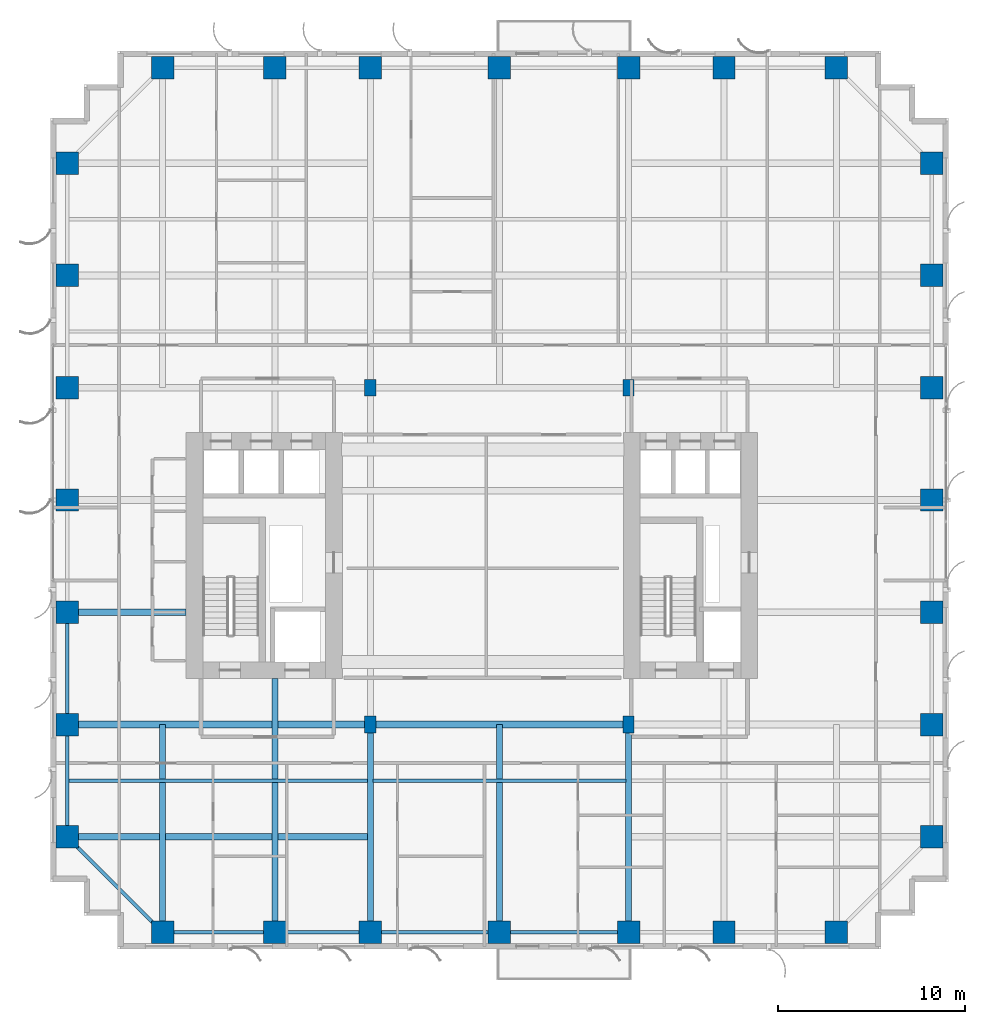
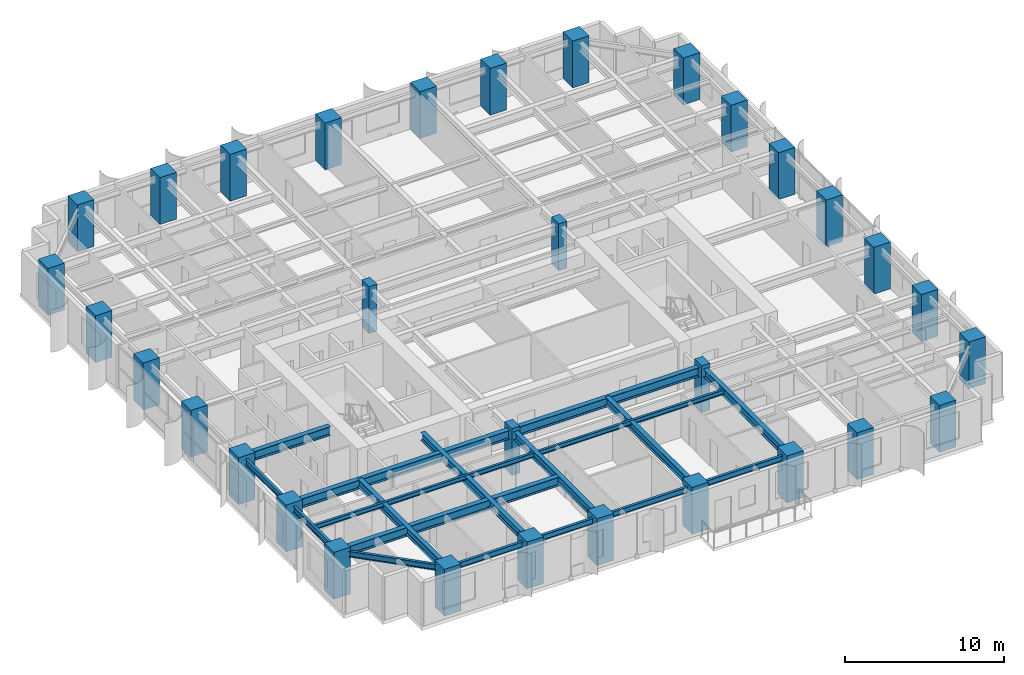
# One storey, part 1 of 17: 32 columns, 18 beams.
"""IFC4 building model written with IfcOpenShell, lengths in metres."""

from ifc_helpers import new_model, si_unit, direction, frame, origin, origin_2d, place, context, subcontext, project, spatial, rectangle, i_section, extrude, source, transform, mapped, material, material_profile, profile_set, type_object, element, save


model = new_model("IFC4")

# Units and contexts
model_context = context("Model", 3, precision=1e-05, world=origin(), true_north=direction((0.0, 1.0)))
body_context = subcontext(model_context, "Body", "Model", "MODEL_VIEW")
ifc_project = project(units=[si_unit("LENGTHUNIT", "METRE"), si_unit("AREAUNIT", "SQUARE_METRE"), si_unit("VOLUMEUNIT", "CUBIC_METRE"), si_unit("PLANEANGLEUNIT", "RADIAN"), si_unit("MASSUNIT", "GRAM", prefix="KILO")], contexts=[model_context])

# Site, building, storey
site_placement = place(None, origin())
site = spatial("IfcSite", under=ifc_project, at=site_placement, CompositionType="ELEMENT")
building_placement = place(site_placement, origin())
building = spatial("IfcBuilding", under=site, at=building_placement, Name="Khoralis Quay Care Tower", CompositionType="ELEMENT")
storey_placement = place(building_placement, frame((0.0, 0.0, 58.5)))
storey = spatial("IfcBuildingStorey", under=building, at=storey_placement, Name="L15", CompositionType="ELEMENT", Elevation=58.5)

# Columns
ifc_material_1 = material(Name="Concrete C80/95", Category="concrete")
ifc_material_profile_1 = material_profile(ifc_material_1, rectangle(XDim=1.199951171875, YDim=1.199951171875, at=origin_2d()), Name="Concrete C80/95")
ifc_profile_set_1 = profile_set([ifc_material_profile_1], Name="Concrete C80/95")
column_type_1 = type_object("IfcColumnType", Name="COL-C1200", PredefinedType="COLUMN", material=ifc_profile_set_1)
shared_shape_1 = source(origin(), body_context, "Body", "SweptSolid", [
    extrude(rectangle(XDim=1.199951171875, YDim=1.199951171875, at=origin_2d()), origin(), (0.0, 0.0, 1.0), 3.60009765625),
])
for number, where, z_axis, x_axis, name in (
    (1, (6.0, 0.89990234375, 0.0), (0.0, 0.0, 1.0), (1.0, 0.0, 0.0), "COL-TWR-L15-01"),
    (2, (6.0, 47.10009765625, 0.0), (0.0, 0.0, 1.0), (1.0, 0.0, 0.0), "COL-TWR-L15-02"),
    (3, (12.0, 0.89990234375, 0.0), (0.0, 0.0, 1.0), (1.0, 0.0, 0.0), "COL-TWR-L15-03"),
    (4, (12.0, 47.10009765625, 0.0), (0.0, 0.0, 1.0), (1.0, 0.0, 0.0), "COL-TWR-L15-04"),
    (5, (17.10009765625, 0.89990234375, 0.0), (0.0, 0.0, 1.0), (1.0, 0.0, 0.0), "COL-TWR-L15-05"),
    (6, (17.10009765625, 47.10009765625, 0.0), (0.0, 0.0, 1.0), (1.0, 0.0, 0.0), "COL-TWR-L15-06"),
    (7, (24.0, 0.89990234375, 0.0), (0.0, 0.0, 1.0), (1.0, 0.0, 0.0), "COL-TWR-L15-07"),
    (8, (24.0, 47.10009765625, 0.0), (0.0, 0.0, 1.0), (1.0, 0.0, 0.0), "COL-TWR-L15-08"),
    (9, (30.89990234375, 0.89990234375, 0.0), (0.0, 0.0, 1.0), (1.0, 0.0, 0.0), "COL-TWR-L15-09"),
    (10, (30.89990234375, 47.10009765625, 0.0), (0.0, 0.0, 1.0), (1.0, 0.0, 0.0), "COL-TWR-L15-10"),
    (11, (36.0, 0.89990234375, 0.0), (0.0, 0.0, 1.0), (1.0, 0.0, 0.0), "COL-TWR-L15-11"),
    (12, (36.0, 47.10009765625, 0.0), (0.0, 0.0, 1.0), (1.0, 0.0, 0.0), "COL-TWR-L15-12"),
    (13, (42.0, 0.89990234375, 0.0), (0.0, 0.0, 1.0), (1.0, 0.0, 0.0), "COL-TWR-L15-13"),
    (14, (42.0, 47.10009765625, 0.0), (0.0, 0.0, 1.0), (1.0, 0.0, 0.0), "COL-TWR-L15-14"),
    (15, (0.89990234375, 6.0, 0.0), (0.0, 0.0, 1.0), (1.0, 0.0, 0.0), "COL-TWR-L15-15"),
    (16, (47.10009765625, 6.0, 0.0), (0.0, 0.0, 1.0), (1.0, 0.0, 0.0), "COL-TWR-L15-16"),
    (17, (0.89990234375, 12.0, 0.0), (0.0, 0.0, 1.0), (1.0, 0.0, 0.0), "COL-TWR-L15-17"),
    (18, (47.10009765625, 12.0, 0.0), (0.0, 0.0, 1.0), (1.0, 0.0, 0.0), "COL-TWR-L15-18"),
    (19, (0.89990234375, 18.0, 0.0), (0.0, 0.0, 1.0), (1.0, 0.0, 0.0), "COL-TWR-L15-19"),
    (20, (47.10009765625, 18.0, 0.0), (0.0, 0.0, 1.0), (1.0, 0.0, 0.0), "COL-TWR-L15-20"),
    (21, (0.89990234375, 24.0, 0.0), (0.0, 0.0, 1.0), (1.0, 0.0, 0.0), "COL-TWR-L15-21"),
    (22, (47.10009765625, 24.0, 0.0), (0.0, 0.0, 1.0), (1.0, 0.0, 0.0), "COL-TWR-L15-22"),
    (23, (0.89990234375, 30.0, 0.0), (0.0, 0.0, 1.0), (1.0, 0.0, 0.0), "COL-TWR-L15-23"),
    (24, (47.10009765625, 30.0, 0.0), (0.0, 0.0, 1.0), (1.0, 0.0, 0.0), "COL-TWR-L15-24"),
    (25, (0.89990234375, 36.0, 0.0), (0.0, 0.0, 1.0), (1.0, 0.0, 0.0), "COL-TWR-L15-25"),
    (26, (47.10009765625, 36.0, 0.0), (0.0, 0.0, 1.0), (1.0, 0.0, 0.0), "COL-TWR-L15-26"),
    (27, (0.89990234375, 42.0, 0.0), (0.0, 0.0, 1.0), (1.0, 0.0, 0.0), "COL-TWR-L15-27"),
    (28, (47.10009765625, 42.0, 0.0), (0.0, 0.0, 1.0), (1.0, 0.0, 0.0), "COL-TWR-L15-28"),
):
    element("IfcColumn", number, at=place(storey_placement, frame(where, z_axis=z_axis, x_axis=x_axis)), inside=storey, type_object=column_type_1, Name=name, PredefinedType="COLUMN", context=body_context, shape_type="MappedRepresentation", body=[
        mapped(shared_shape_1, transform((0.0, 0.0, 0.0), scale=1.0)),
    ])
ifc_material_2 = material(Name="Concrete C65/80", Category="concrete")
ifc_material_profile_2 = material_profile(ifc_material_2, rectangle(XDim=0.60009765625, YDim=0.89990234375, at=origin_2d()), Name="Concrete C65/80")
ifc_profile_set_2 = profile_set([ifc_material_profile_2], Name="Concrete C65/80")
column_type_2 = type_object("IfcColumnType", Name="COL-C600X900", PredefinedType="COLUMN", material=ifc_profile_set_2)
shared_shape_2 = source(origin(), body_context, "Body", "SweptSolid", [
    extrude(rectangle(XDim=0.60009765625, YDim=0.89990234375, at=origin_2d()), origin(), (0.0, 0.0, 1.0), 3.60009765625),
])
for number, where, z_axis, x_axis, name in (
    (29, (17.10009765625, 12.0, 0.0), (0.0, 0.0, 1.0), (1.0, 0.0, 0.0), "COL-TWR-L15-29"),
    (30, (17.10009765625, 30.0, 0.0), (0.0, 0.0, 1.0), (1.0, 0.0, 0.0), "COL-TWR-L15-30"),
    (31, (30.89990234375, 12.0, 0.0), (0.0, 0.0, 1.0), (1.0, 0.0, 0.0), "COL-TWR-L15-31"),
    (32, (30.89990234375, 30.0, 0.0), (0.0, 0.0, 1.0), (1.0, 0.0, 0.0), "COL-TWR-L15-32"),
):
    element("IfcColumn", number, at=place(storey_placement, frame(where, z_axis=z_axis, x_axis=x_axis)), inside=storey, type_object=column_type_2, Name=name, PredefinedType="COLUMN", context=body_context, shape_type="MappedRepresentation", body=[
        mapped(shared_shape_2, transform((0.0, 0.0, 0.0), scale=1.0)),
    ])

# Beams
ifc_material_3 = material(Name="Steel S355", Category="steel")
ifc_material_profile_3 = material_profile(ifc_material_3, i_section(OverallWidth=0.18994140625, OverallDepth=0.449951171875, WebThickness=0.009521484375, FlangeThickness=0.0146484375, FilletRadius=0.02099609375, at=origin_2d()), Name="Steel S355")
ifc_profile_set_3 = profile_set([ifc_material_profile_3], Name="Steel S355")
beam_type_1 = type_object("IfcBeamType", Name="BM-IPE450", PredefinedType="SPANDREL", material=ifc_profile_set_3)
shared_shape_3 = source(origin(), body_context, "Body", "SweptSolid", [
    extrude(i_section(OverallWidth=0.18994140625, OverallDepth=0.449951171875, WebThickness=0.009521484375, FlangeThickness=0.0146484375, FilletRadius=0.02099609375, at=origin_2d()), origin(), (0.0, 0.0, 1.0), 6.0),
])
for number, where, z_axis, x_axis, name in (
    (33, (6.0, 0.89990234375, 3.094970703125), (1.0, 0.0, 0.0), (0.0, 1.0, 0.0), "BM-TSP-L15-01"),
    (34, (0.89990234375, 6.0, 3.094970703125), (0.0, 1.0, 0.0), (-1.0, 0.0, 0.0), "BM-TSP-L15-13"),
    (35, (0.89990234375, 12.0, 3.094970703125), (0.0, 1.0, 0.0), (-1.0, 0.0, 0.0), "BM-TSP-L15-14"),
):
    element("IfcBeam", number, at=place(storey_placement, frame(where, z_axis=z_axis, x_axis=x_axis)), inside=storey, type_object=beam_type_1, Name=name, PredefinedType="SPANDREL", context=body_context, shape_type="MappedRepresentation", body=[
        mapped(shared_shape_3, transform((0.0, 0.0, 0.0), scale=1.0)),
    ])
shared_shape_4 = source(origin(), body_context, "Body", "SweptSolid", [
    extrude(i_section(OverallWidth=0.18994140625, OverallDepth=0.449951171875, WebThickness=0.009521484375, FlangeThickness=0.0146484375, FilletRadius=0.02099609375, at=origin_2d()), origin(), (0.0, 0.0, 1.0), 5.10009765625),
])
beam_1_placement = place(storey_placement, frame((12.0, 0.89990234375, 3.094970703125), z_axis=(1.0, 0.0, 0.0), x_axis=(0.0, 1.0, 0.0)))
element("IfcBeam", 36, at=beam_1_placement, inside=storey, type_object=beam_type_1, Name="BM-TSP-L15-02", PredefinedType="SPANDREL", context=body_context, shape_type="MappedRepresentation", body=[
    mapped(shared_shape_4, transform((0.0, 0.0, 0.0), scale=1.0)),
])
shared_shape_5 = source(origin(), body_context, "Body", "SweptSolid", [
    extrude(i_section(OverallWidth=0.18994140625, OverallDepth=0.449951171875, WebThickness=0.009521484375, FlangeThickness=0.0146484375, FilletRadius=0.02099609375, at=origin_2d()), origin(), (0.0, 0.0, 1.0), 6.89990234375),
])
for number, where, z_axis, x_axis, name in (
    (37, (17.10009765625, 0.89990234375, 3.094970703125), (1.0, 0.0, 0.0), (0.0, 1.0, 0.0), "BM-TSP-L15-03"),
    (38, (24.0, 0.89990234375, 3.094970703125), (1.0, 0.0, 0.0), (0.0, 1.0, 0.0), "BM-TSP-L15-04"),
):
    element("IfcBeam", number, at=place(storey_placement, frame(where, z_axis=z_axis, x_axis=x_axis)), inside=storey, type_object=beam_type_1, Name=name, PredefinedType="SPANDREL", context=body_context, shape_type="MappedRepresentation", body=[
        mapped(shared_shape_5, transform((0.0, 0.0, 0.0), scale=1.0)),
    ])
shared_shape_6 = source(origin(), body_context, "Body", "SweptSolid", [
    extrude(i_section(OverallWidth=0.18994140625, OverallDepth=0.449951171875, WebThickness=0.009521484375, FlangeThickness=0.0146484375, FilletRadius=0.02099609375, at=origin_2d()), origin(), (0.0, 0.0, 1.0), 7.212646484375),
])
beam_2_placement = place(storey_placement, frame((6.0, 0.89990234375, 3.094970703125), z_axis=(-0.707106781187, 0.707106781187, 0.0), x_axis=(-0.707106781187, -0.707106781187, 0.0)))
element("IfcBeam", 39, at=beam_2_placement, inside=storey, type_object=beam_type_1, Name="BM-TCR-L15-25", PredefinedType="SPANDREL", context=body_context, shape_type="MappedRepresentation", body=[
    mapped(shared_shape_6, transform((0.0, 0.0, 0.0), scale=1.0)),
])
ifc_material_profile_4 = material_profile(ifc_material_3, i_section(OverallWidth=0.35498046875, OverallDepth=0.695068359375, WebThickness=0.015380859375, FlangeThickness=0.02490234375, FilletRadius=0.02001953125, at=origin_2d()), Name="Steel S355")
ifc_profile_set_4 = profile_set([ifc_material_profile_4], Name="Steel S355")
beam_type_2 = type_object("IfcBeamType", Name="BM-W690X217", PredefinedType="BEAM", material=ifc_profile_set_4)
shared_shape_7 = source(origin(), body_context, "Body", "SweptSolid", [
    extrude(i_section(OverallWidth=0.35498046875, OverallDepth=0.695068359375, WebThickness=0.015380859375, FlangeThickness=0.02490234375, FilletRadius=0.02001953125, at=origin_2d()), origin(), (0.0, 0.0, 1.0), 16.049560546875),
])
beam_3_placement = place(storey_placement, frame((0.89990234375, 6.0, 2.972412109375), z_axis=(1.0, 0.0, 0.0), x_axis=(0.0, 1.0, 0.0)))
element("IfcBeam", 40, at=beam_3_placement, inside=storey, type_object=beam_type_2, Name="BM-TGXW-L15-60", PredefinedType="BEAM", context=body_context, shape_type="MappedRepresentation", body=[
    mapped(shared_shape_7, transform((0.0, 0.0, 0.0), scale=1.0)),
])
shared_shape_8 = source(origin(), body_context, "Body", "SweptSolid", [
    extrude(i_section(OverallWidth=0.35498046875, OverallDepth=0.695068359375, WebThickness=0.015380859375, FlangeThickness=0.02490234375, FilletRadius=0.02001953125, at=origin_2d()), origin(), (0.0, 0.0, 1.0), 16.2001953125),
])
beam_4_placement = place(storey_placement, frame((0.89990234375, 12.0, 2.972412109375), z_axis=(1.0, 0.0, 0.0), x_axis=(0.0, 1.0, 0.0)))
element("IfcBeam", 41, at=beam_4_placement, inside=storey, type_object=beam_type_2, Name="BM-TGXW-L15-120", PredefinedType="BEAM", context=body_context, shape_type="MappedRepresentation", body=[
    mapped(shared_shape_8, transform((0.0, 0.0, 0.0), scale=1.0)),
])
shared_shape_9 = source(origin(), body_context, "Body", "SweptSolid", [
    extrude(i_section(OverallWidth=0.35498046875, OverallDepth=0.695068359375, WebThickness=0.015380859375, FlangeThickness=0.02490234375, FilletRadius=0.02001953125, at=origin_2d()), origin(), (0.0, 0.0, 1.0), 6.35205078125),
])
beam_5_placement = place(storey_placement, frame((0.89990234375, 18.0, 2.972412109375), z_axis=(1.0, 0.0, 0.0), x_axis=(0.0, 1.0, 0.0)))
element("IfcBeam", 42, at=beam_5_placement, inside=storey, type_object=beam_type_2, Name="BM-TGXW-L15-180", PredefinedType="BEAM", context=body_context, shape_type="MappedRepresentation", body=[
    mapped(shared_shape_9, transform((0.0, 0.0, 0.0), scale=1.0)),
])
shared_shape_10 = source(origin(), body_context, "Body", "SweptSolid", [
    extrude(i_section(OverallWidth=0.35498046875, OverallDepth=0.695068359375, WebThickness=0.015380859375, FlangeThickness=0.02490234375, FilletRadius=0.02001953125, at=origin_2d()), origin(), (0.0, 0.0, 1.0), 13.7998046875),
])
beam_6_placement = place(storey_placement, frame((17.10009765625, 12.0, 2.972412109375), z_axis=(1.0, 0.0, 0.0), x_axis=(0.0, 1.0, 0.0)))
element("IfcBeam", 43, at=beam_6_placement, inside=storey, type_object=beam_type_2, Name="BM-TGCC-L15-120", PredefinedType="BEAM", context=body_context, shape_type="MappedRepresentation", body=[
    mapped(shared_shape_10, transform((0.0, 0.0, 0.0), scale=1.0)),
])
ifc_material_profile_5 = material_profile(ifc_material_3, i_section(OverallWidth=0.324951171875, OverallDepth=0.615966796875, WebThickness=0.013916015625, FlangeThickness=0.021484375, FilletRadius=0.01806640625, at=origin_2d()), Name="Steel S355")
ifc_profile_set_5 = profile_set([ifc_material_profile_5], Name="Steel S355")
beam_type_3 = type_object("IfcBeamType", Name="BM-W610X174", PredefinedType="BEAM", material=ifc_profile_set_5)
shared_shape_11 = source(origin(), body_context, "Body", "SweptSolid", [
    extrude(i_section(OverallWidth=0.324951171875, OverallDepth=0.615966796875, WebThickness=0.013916015625, FlangeThickness=0.021484375, FilletRadius=0.01806640625, at=origin_2d()), origin(), (0.0, 0.0, 1.0), 11.10009765625),
])
for number, where, z_axis, x_axis, name in (
    (44, (6.0, 0.89990234375, 3.011962890625), (0.0, 1.0, 0.0), (-1.0, 0.0, 0.0), "BM-TGYS-L15-60"),
    (45, (17.10009765625, 0.89990234375, 3.011962890625), (0.0, 1.0, 0.0), (-1.0, 0.0, 0.0), "BM-TGYS-L15-171"),
    (46, (24.0, 0.89990234375, 3.011962890625), (0.0, 1.0, 0.0), (-1.0, 0.0, 0.0), "BM-TGYS-L15-240"),
    (47, (30.89990234375, 0.89990234375, 3.011962890625), (0.0, 1.0, 0.0), (-1.0, 0.0, 0.0), "BM-TGYS-L15-309"),
):
    element("IfcBeam", number, at=place(storey_placement, frame(where, z_axis=z_axis, x_axis=x_axis)), inside=storey, type_object=beam_type_3, Name=name, PredefinedType="BEAM", context=body_context, shape_type="MappedRepresentation", body=[
        mapped(shared_shape_11, transform((0.0, 0.0, 0.0), scale=1.0)),
    ])
shared_shape_12 = source(origin(), body_context, "Body", "SweptSolid", [
    extrude(i_section(OverallWidth=0.324951171875, OverallDepth=0.615966796875, WebThickness=0.013916015625, FlangeThickness=0.021484375, FilletRadius=0.01806640625, at=origin_2d()), origin(), (0.0, 0.0, 1.0), 13.552001953125),
])
beam_7_placement = place(storey_placement, frame((12.0, 0.89990234375, 3.011962890625), z_axis=(0.0, 1.0, 0.0), x_axis=(-1.0, 0.0, 0.0)))
element("IfcBeam", 48, at=beam_7_placement, inside=storey, type_object=beam_type_3, Name="BM-TGYS-L15-120", PredefinedType="BEAM", context=body_context, shape_type="MappedRepresentation", body=[
    mapped(shared_shape_12, transform((0.0, 0.0, 0.0), scale=1.0)),
])
ifc_material_profile_6 = material_profile(ifc_material_3, i_section(OverallWidth=0.1708984375, OverallDepth=0.35498046875, WebThickness=0.007080078125, FlangeThickness=0.01171875, FilletRadius=0.012939453125, at=origin_2d()), Name="Steel S355")
ifc_profile_set_6 = profile_set([ifc_material_profile_6], Name="Steel S355")
beam_type_4 = type_object("IfcBeamType", Name="BM-W360X51", PredefinedType="JOIST", material=ifc_profile_set_6)
shared_shape_13 = source(origin(), body_context, "Body", "SweptSolid", [
    extrude(i_section(OverallWidth=0.1708984375, OverallDepth=0.35498046875, WebThickness=0.007080078125, FlangeThickness=0.01171875, FilletRadius=0.012939453125, at=origin_2d()), origin(), (0.0, 0.0, 1.0), 15.968505859375),
])
beam_8_placement = place(storey_placement, frame((0.98095703125, 9.0, 3.142578125), z_axis=(1.0, 0.0, 0.0), x_axis=(0.0, 1.0, 0.0)))
element("IfcBeam", 49, at=beam_8_placement, inside=storey, type_object=beam_type_4, Name="BM-TJS-L15-29", PredefinedType="JOIST", context=body_context, shape_type="MappedRepresentation", body=[
    mapped(shared_shape_13, transform((0.0, 0.0, 0.0), scale=1.0)),
])
shared_shape_14 = source(origin(), body_context, "Body", "SweptSolid", [
    extrude(i_section(OverallWidth=0.1708984375, OverallDepth=0.35498046875, WebThickness=0.007080078125, FlangeThickness=0.01171875, FilletRadius=0.012939453125, at=origin_2d()), origin(), (0.0, 0.0, 1.0), 13.4990234375),
])
beam_9_placement = place(storey_placement, frame((17.25048828125, 9.0, 3.142578125), z_axis=(1.0, 0.0, 0.0), x_axis=(0.0, 1.0, 0.0)))
element("IfcBeam", 50, at=beam_9_placement, inside=storey, type_object=beam_type_4, Name="BM-TJS-L15-31", PredefinedType="JOIST", context=body_context, shape_type="MappedRepresentation", body=[
    mapped(shared_shape_14, transform((0.0, 0.0, 0.0), scale=1.0)),
])

save(model, "model.ifc")
